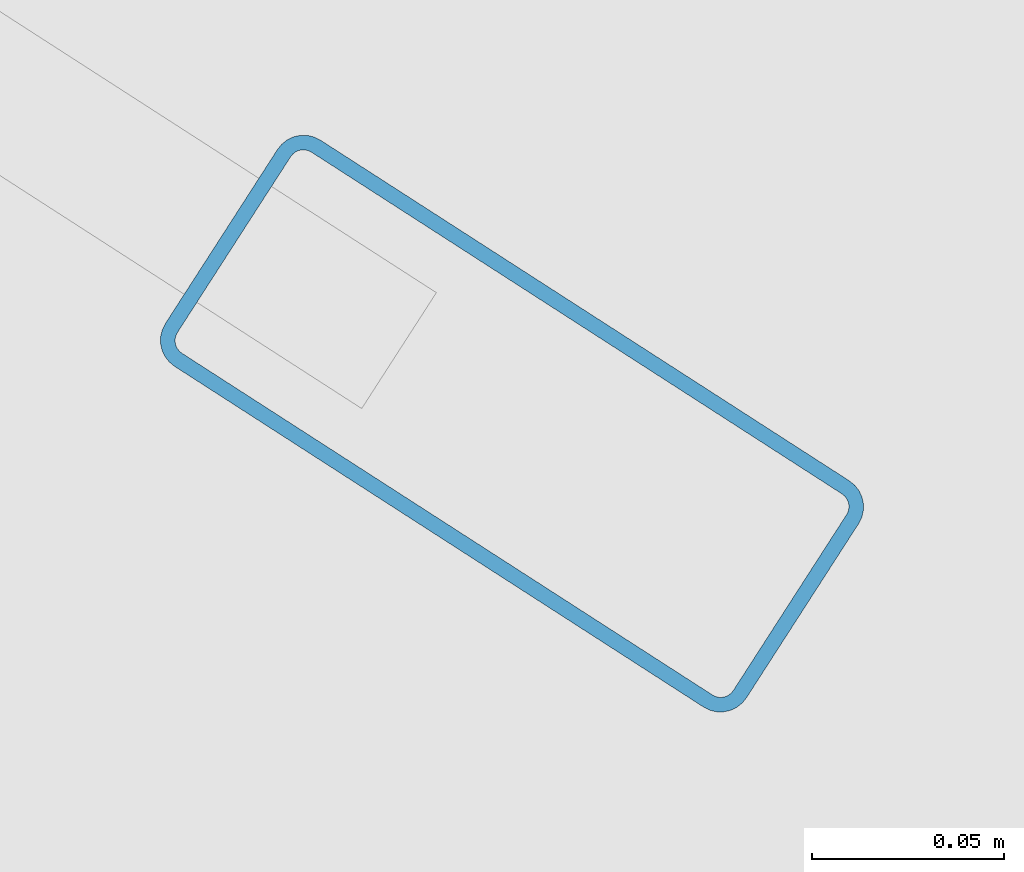
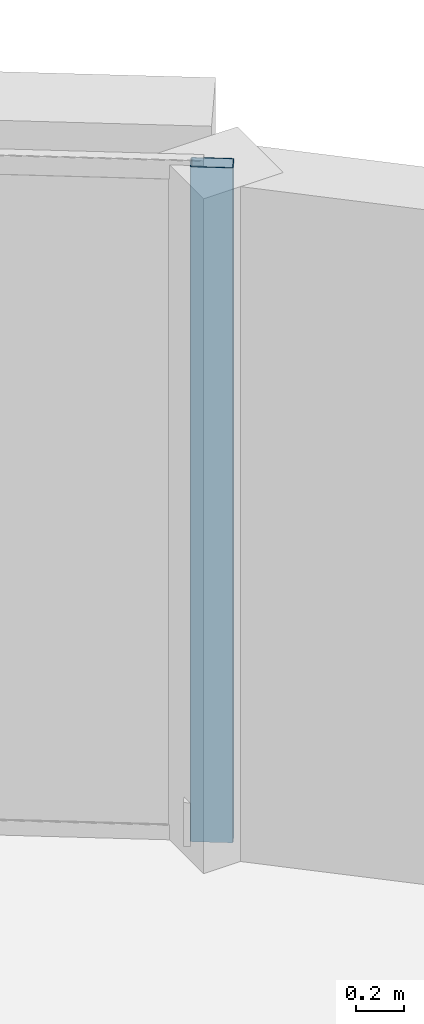
# One storey, part 5 of 15: 1 member, 1 element without a shape of its own.
"""IFC4 building model written with IfcOpenShell, lengths in metres."""

from ifc_helpers import new_model, si_unit, direction, frame, origin, origin_2d, place, context, subcontext, project, spatial, hollow_rectangle, extrude, material, layer, layer_set, material_profile, profile_set, type_object, element, aggregate, save


model = new_model("IFC4")

# Units and contexts
model_context = context("Model", 3, precision=1e-05, world=origin(), true_north=direction((0.0, 1.0)))
body_context = subcontext(model_context, "Body", "Model", "MODEL_VIEW")
ifc_project = project(units=[si_unit("LENGTHUNIT", "METRE"), si_unit("AREAUNIT", "SQUARE_METRE"), si_unit("VOLUMEUNIT", "CUBIC_METRE"), si_unit("PLANEANGLEUNIT", "RADIAN"), si_unit("MASSUNIT", "GRAM", prefix="KILO")], contexts=[model_context])

# Site, building, storey
site_placement = place(None, origin())
site = spatial("IfcSite", under=ifc_project, at=site_placement, CompositionType="ELEMENT")
building_placement = place(site_placement, origin())
building = spatial("IfcBuilding", under=site, at=building_placement, Name="An Khanh Terracotta Commons", CompositionType="ELEMENT")
storey_placement = place(building_placement, frame((0.0, 0.0, 147.39990234375)))
storey = spatial("IfcBuildingStorey", under=building, at=storey_placement, Name="L38", CompositionType="ELEMENT", Elevation=147.39990234375)

# Curtain wall, member
ifc_material = material(Name="Anodised Aluminium 6063-T6", Category="aluminium")
ifc_layer = layer(ifc_material, 0.2099609375, Name="Anodised Aluminium 6063-T6")
ifc_layer_set = layer_set([ifc_layer], Name="Anodised Aluminium 6063-T6")
curtain_wall_type = type_object("IfcCurtainWallType", Name="CW-SYS-03", PredefinedType="USERDEFINED", material=ifc_layer_set)
curtain_wall_placement = place(storey_placement, origin())
curtain_wall = element("IfcCurtainWall", 1, at=curtain_wall_placement, inside=storey, type_object=curtain_wall_type, Name="L38 CW-03 Unitised Curtain Wall CW-L38-16", ObjectType="UNITISED CURTAIN WALL", PredefinedType="USERDEFINED")
ifc_material_profile = material_profile(ifc_material, hollow_rectangle(XDim=0.070068359375, YDim=0.179931640625, WallThickness=0.00390625, InnerFilletRadius=0.00390625, OuterFilletRadius=0.008056640625, at=origin_2d()), Name="RHS180x70x4")
ifc_profile_set = profile_set([ifc_material_profile], Name="Anodised Aluminium 6063-T6")
member_type = type_object("IfcMemberType", Name="CWM-RHS180x70x4", PredefinedType="MULLION", material=ifc_profile_set)
member_placement = place(storey_placement, frame((60.448486328125, 35.843017578125, 0.0), z_axis=(0.0, 0.0, 1.0), x_axis=(-0.541497931062, -0.840702081986, 0.0)))
member = element("IfcMember", 2, at=member_placement, type_object=member_type, Name="CW-03 mullion 1", PredefinedType="MULLION", context=body_context, shape_type="SweptSolid", body=[
    extrude(hollow_rectangle(XDim=0.070068359375, YDim=0.179931640625, WallThickness=0.00390625, InnerFilletRadius=0.00390625, OuterFilletRadius=0.008056640625, at=origin_2d()), origin(), (0.0, 0.0, 1.0), 3.400146484375),
])
aggregate(curtain_wall, [member])

save(model, "model.ifc")
